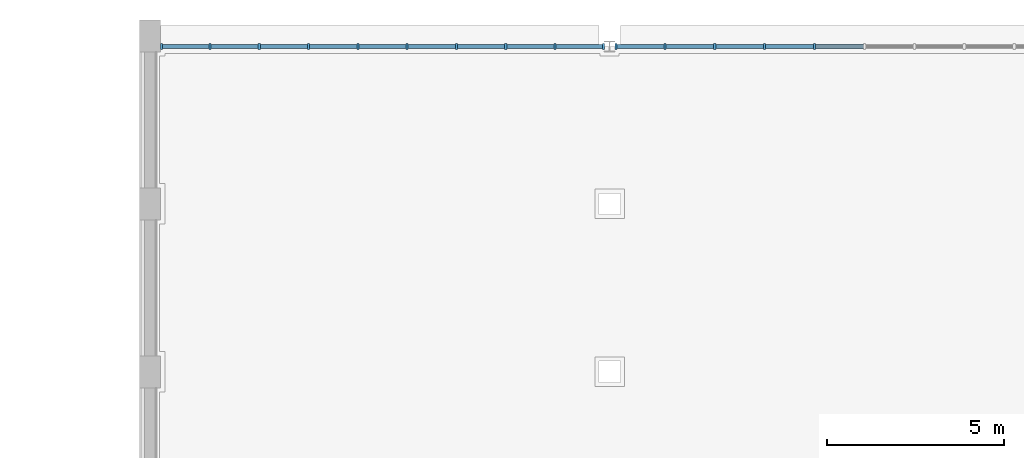
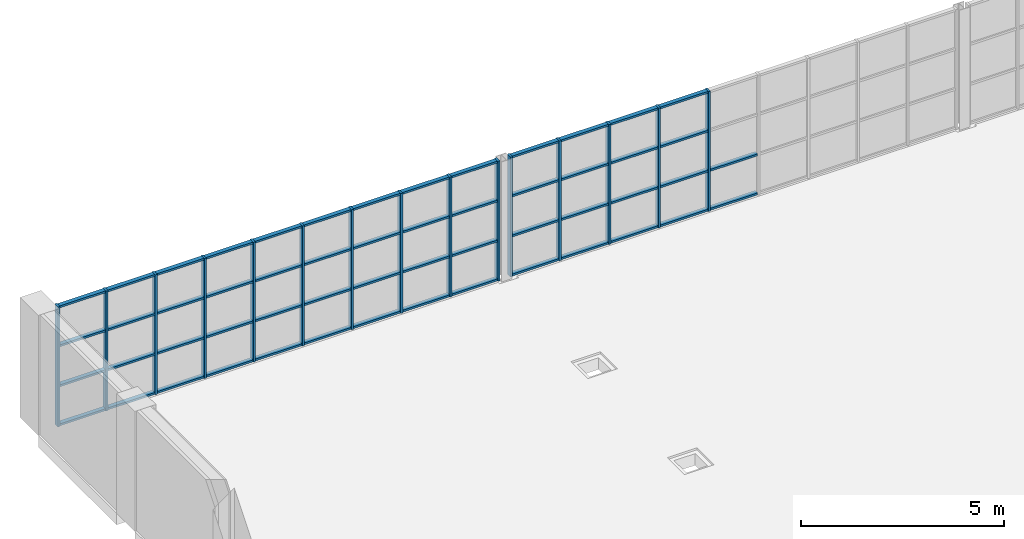
# One storey, part 25 of 82: 69 members, 2 elements without a shape of their own.
"""IFC4 building model written with IfcOpenShell, lengths in metres."""

from ifc_helpers import new_model, si_unit, direction, frame, origin, origin_2d, place, context, subcontext, project, spatial, rectangle, extrude, material, material_profile, profile_set, type_object, element, aggregate, save


model = new_model("IFC4")

# Units and contexts
model_context = context("Model", 3, precision=1e-05, world=origin(), true_north=direction((0.0, 1.0)))
body_context = subcontext(model_context, "Body", "Model", "MODEL_VIEW")
ifc_project = project(units=[si_unit("LENGTHUNIT", "METRE"), si_unit("AREAUNIT", "SQUARE_METRE"), si_unit("VOLUMEUNIT", "CUBIC_METRE"), si_unit("PLANEANGLEUNIT", "RADIAN"), si_unit("MASSUNIT", "GRAM", prefix="KILO")], contexts=[model_context])

# Site, building, storey
site_placement = place(None, origin())
site = spatial("IfcSite", under=ifc_project, at=site_placement, CompositionType="ELEMENT")
building_placement = place(site_placement, origin())
building = spatial("IfcBuilding", under=site, at=building_placement, Name="Elbe Cascade School", CompositionType="ELEMENT")
storey_placement = place(building_placement, frame((0.0, 0.0, 4.5)))
storey = spatial("IfcBuildingStorey", under=building, at=storey_placement, Name="L01", CompositionType="ELEMENT", Elevation=4.5)

# Curtain wall, members
ifc_material_1 = material(Name="Glass - double glazed low-E", Category="glass")
curtain_wall_type = type_object("IfcCurtainWallType", Name="Hall gable curtain wall", PredefinedType="NOTDEFINED", material=ifc_material_1)
curtain_wall_1_placement = place(storey_placement, origin())
curtain_wall_1 = element("IfcCurtainWall", 1, at=curtain_wall_1_placement, inside=storey, type_object=curtain_wall_type, Name="Gable curtain wall N1", PredefinedType="NOTDEFINED")
ifc_material_2 = material(Name="Aluminium - bronze anodised", Category="aluminium")
ifc_material_profile_1 = material_profile(ifc_material_2, rectangle(XDim=0.159912109375, YDim=0.06005859375, at=origin_2d()), Name="Alu 60x160")
ifc_profile_set_1 = profile_set([ifc_material_profile_1], Name="Aluminium - bronze anodised")
member_type_1 = type_object("IfcMemberType", Name="Hall gable mullion 60x160", PredefinedType="MULLION", material=ifc_profile_set_1)
member_1_placement = place(storey_placement, frame((8.330078125, 69.199951171875, 0.0), z_axis=(0.0, 0.0, 1.0), x_axis=(0.0, 1.0, 0.0)))
member_1 = element("IfcMember", 2, at=member_1_placement, type_object=member_type_1, Name="CW6 mullion 1", PredefinedType="MULLION", context=body_context, shape_type="SweptSolid", body=[
    extrude(rectangle(XDim=0.159912109375, YDim=0.06005859375, at=origin_2d()), origin(), (0.0, 0.0, 1.0), 3.60009765625),
])
member_2_placement = place(storey_placement, frame((9.6943359375, 69.199951171875, 0.0), z_axis=(0.0, 0.0, 1.0), x_axis=(0.0, 1.0, 0.0)))
member_2 = element("IfcMember", 3, at=member_2_placement, type_object=member_type_1, Name="CW6 mullion 2", PredefinedType="MULLION", context=body_context, shape_type="SweptSolid", body=[
    extrude(rectangle(XDim=0.159912109375, YDim=0.06005859375, at=origin_2d()), origin(), (0.0, 0.0, 1.0), 3.60009765625),
])
member_3_placement = place(storey_placement, frame((11.0888671875, 69.199951171875, 0.0), z_axis=(0.0, 0.0, 1.0), x_axis=(0.0, 1.0, 0.0)))
member_3 = element("IfcMember", 4, at=member_3_placement, type_object=member_type_1, Name="CW6 mullion 3", PredefinedType="MULLION", context=body_context, shape_type="SweptSolid", body=[
    extrude(rectangle(XDim=0.159912109375, YDim=0.06005859375, at=origin_2d()), origin(), (0.0, 0.0, 1.0), 3.60009765625),
])
member_4_placement = place(storey_placement, frame((12.4833984375, 69.199951171875, 0.0), z_axis=(0.0, 0.0, 1.0), x_axis=(0.0, 1.0, 0.0)))
member_4 = element("IfcMember", 5, at=member_4_placement, type_object=member_type_1, Name="CW6 mullion 4", PredefinedType="MULLION", context=body_context, shape_type="SweptSolid", body=[
    extrude(rectangle(XDim=0.159912109375, YDim=0.06005859375, at=origin_2d()), origin(), (0.0, 0.0, 1.0), 3.60009765625),
])
member_5_placement = place(storey_placement, frame((13.877685546875, 69.199951171875, 0.0), z_axis=(0.0, 0.0, 1.0), x_axis=(0.0, 1.0, 0.0)))
member_5 = element("IfcMember", 6, at=member_5_placement, type_object=member_type_1, Name="CW6 mullion 5", PredefinedType="MULLION", context=body_context, shape_type="SweptSolid", body=[
    extrude(rectangle(XDim=0.159912109375, YDim=0.06005859375, at=origin_2d()), origin(), (0.0, 0.0, 1.0), 3.60009765625),
])
member_6_placement = place(storey_placement, frame((15.272216796875, 69.199951171875, 0.0), z_axis=(0.0, 0.0, 1.0), x_axis=(0.0, 1.0, 0.0)))
member_6 = element("IfcMember", 7, at=member_6_placement, type_object=member_type_1, Name="CW6 mullion 6", PredefinedType="MULLION", context=body_context, shape_type="SweptSolid", body=[
    extrude(rectangle(XDim=0.159912109375, YDim=0.06005859375, at=origin_2d()), origin(), (0.0, 0.0, 1.0), 3.60009765625),
])
member_7_placement = place(storey_placement, frame((16.666748046875, 69.199951171875, 0.0), z_axis=(0.0, 0.0, 1.0), x_axis=(0.0, 1.0, 0.0)))
member_7 = element("IfcMember", 8, at=member_7_placement, type_object=member_type_1, Name="CW6 mullion 7", PredefinedType="MULLION", context=body_context, shape_type="SweptSolid", body=[
    extrude(rectangle(XDim=0.159912109375, YDim=0.06005859375, at=origin_2d()), origin(), (0.0, 0.0, 1.0), 3.60009765625),
])
member_8_placement = place(storey_placement, frame((18.06103515625, 69.199951171875, 0.0), z_axis=(0.0, 0.0, 1.0), x_axis=(0.0, 1.0, 0.0)))
member_8 = element("IfcMember", 9, at=member_8_placement, type_object=member_type_1, Name="CW6 mullion 8", PredefinedType="MULLION", context=body_context, shape_type="SweptSolid", body=[
    extrude(rectangle(XDim=0.159912109375, YDim=0.06005859375, at=origin_2d()), origin(), (0.0, 0.0, 1.0), 3.60009765625),
])
member_9_placement = place(storey_placement, frame((19.45556640625, 69.199951171875, 0.0), z_axis=(0.0, 0.0, 1.0), x_axis=(0.0, 1.0, 0.0)))
member_9 = element("IfcMember", 10, at=member_9_placement, type_object=member_type_1, Name="CW6 mullion 9", PredefinedType="MULLION", context=body_context, shape_type="SweptSolid", body=[
    extrude(rectangle(XDim=0.159912109375, YDim=0.06005859375, at=origin_2d()), origin(), (0.0, 0.0, 1.0), 3.60009765625),
])
member_10_placement = place(storey_placement, frame((20.820068359375, 69.199951171875, 0.0), z_axis=(0.0, 0.0, 1.0), x_axis=(0.0, 1.0, 0.0)))
member_10 = element("IfcMember", 11, at=member_10_placement, type_object=member_type_1, Name="CW6 mullion 10", PredefinedType="MULLION", context=body_context, shape_type="SweptSolid", body=[
    extrude(rectangle(XDim=0.159912109375, YDim=0.06005859375, at=origin_2d()), origin(), (0.0, 0.0, 1.0), 3.60009765625),
])

curtain_wall_2_placement = place(storey_placement, origin())
curtain_wall_2 = element("IfcCurtainWall", 12, at=curtain_wall_2_placement, inside=storey, type_object=curtain_wall_type, Name="Gable curtain wall N2", PredefinedType="NOTDEFINED")
member_11_placement = place(storey_placement, frame((21.179931640625, 69.199951171875, 0.0), z_axis=(0.0, 0.0, 1.0), x_axis=(0.0, 1.0, 0.0)))
member_11 = element("IfcMember", 13, at=member_11_placement, type_object=member_type_1, Name="CW6 mullion 1", PredefinedType="MULLION", context=body_context, shape_type="SweptSolid", body=[
    extrude(rectangle(XDim=0.159912109375, YDim=0.06005859375, at=origin_2d()), origin(), (0.0, 0.0, 1.0), 3.60009765625),
])
member_12_placement = place(storey_placement, frame((22.56103515625, 69.199951171875, 0.0), z_axis=(0.0, 0.0, 1.0), x_axis=(0.0, 1.0, 0.0)))
member_12 = element("IfcMember", 14, at=member_12_placement, type_object=member_type_1, Name="CW6 mullion 2", PredefinedType="MULLION", context=body_context, shape_type="SweptSolid", body=[
    extrude(rectangle(XDim=0.159912109375, YDim=0.06005859375, at=origin_2d()), origin(), (0.0, 0.0, 1.0), 3.60009765625),
])
member_13_placement = place(storey_placement, frame((23.97216796875, 69.199951171875, 0.0), z_axis=(0.0, 0.0, 1.0), x_axis=(0.0, 1.0, 0.0)))
member_13 = element("IfcMember", 15, at=member_13_placement, type_object=member_type_1, Name="CW6 mullion 3", PredefinedType="MULLION", context=body_context, shape_type="SweptSolid", body=[
    extrude(rectangle(XDim=0.159912109375, YDim=0.06005859375, at=origin_2d()), origin(), (0.0, 0.0, 1.0), 3.60009765625),
])
member_14_placement = place(storey_placement, frame((25.38330078125, 69.199951171875, 0.0), z_axis=(0.0, 0.0, 1.0), x_axis=(0.0, 1.0, 0.0)))
member_14 = element("IfcMember", 16, at=member_14_placement, type_object=member_type_1, Name="CW6 mullion 4", PredefinedType="MULLION", context=body_context, shape_type="SweptSolid", body=[
    extrude(rectangle(XDim=0.159912109375, YDim=0.06005859375, at=origin_2d()), origin(), (0.0, 0.0, 1.0), 3.60009765625),
])
member_15_placement = place(storey_placement, frame((26.79443359375, 69.199951171875, 0.0), z_axis=(0.0, 0.0, 1.0), x_axis=(0.0, 1.0, 0.0)))
member_15 = element("IfcMember", 17, at=member_15_placement, type_object=member_type_1, Name="CW6 mullion 5", PredefinedType="MULLION", context=body_context, shape_type="SweptSolid", body=[
    extrude(rectangle(XDim=0.159912109375, YDim=0.06005859375, at=origin_2d()), origin(), (0.0, 0.0, 1.0), 3.60009765625),
])

# Member
ifc_material_3 = material(Name="Aluminium - bronze anodised", Category="aluminium")
ifc_material_profile_2 = material_profile(ifc_material_3, rectangle(XDim=0.1201171875, YDim=0.06005859375, at=origin_2d()), Name="Alu 60x120")
ifc_profile_set_2 = profile_set([ifc_material_profile_2], Name="Aluminium - bronze anodised")
member_type_2 = type_object("IfcMemberType", Name="Hall gable transom 60x120", PredefinedType="USERDEFINED", material=ifc_profile_set_2)
member_16_placement = place(storey_placement, frame((8.360107421875, 69.199951171875, 0.030029296875), z_axis=(1.0, 0.0, 0.0), x_axis=(0.0, 1.0, 0.0)))
member_16 = element("IfcMember", 18, at=member_16_placement, type_object=member_type_2, Name="CW6 transom 1.1", ObjectType="TRANSOM", PredefinedType="USERDEFINED", context=body_context, shape_type="SweptSolid", body=[
    extrude(rectangle(XDim=0.1201171875, YDim=0.06005859375, at=origin_2d()), origin(), (0.0, 0.0, 1.0), 1.304443359375),
])

member_17_placement = place(storey_placement, frame((8.360107421875, 69.199951171875, 1.199951171875), z_axis=(1.0, 0.0, 0.0), x_axis=(0.0, 1.0, 0.0)))
member_17 = element("IfcMember", 19, at=member_17_placement, type_object=member_type_2, Name="CW6 transom 1.2", ObjectType="TRANSOM", PredefinedType="USERDEFINED", context=body_context, shape_type="SweptSolid", body=[
    extrude(rectangle(XDim=0.1201171875, YDim=0.06005859375, at=origin_2d()), origin(), (0.0, 0.0, 1.0), 1.304443359375),
])

member_18_placement = place(storey_placement, frame((8.360107421875, 69.199951171875, 2.39990234375), z_axis=(1.0, 0.0, 0.0), x_axis=(0.0, 1.0, 0.0)))
member_18 = element("IfcMember", 20, at=member_18_placement, type_object=member_type_2, Name="CW6 transom 1.3", ObjectType="TRANSOM", PredefinedType="USERDEFINED", context=body_context, shape_type="SweptSolid", body=[
    extrude(rectangle(XDim=0.1201171875, YDim=0.06005859375, at=origin_2d()), origin(), (0.0, 0.0, 1.0), 1.304443359375),
])

member_19_placement = place(storey_placement, frame((8.360107421875, 69.199951171875, 3.570068359375), z_axis=(1.0, 0.0, 0.0), x_axis=(0.0, 1.0, 0.0)))
member_19 = element("IfcMember", 21, at=member_19_placement, type_object=member_type_2, Name="CW6 transom 1.4", ObjectType="TRANSOM", PredefinedType="USERDEFINED", context=body_context, shape_type="SweptSolid", body=[
    extrude(rectangle(XDim=0.1201171875, YDim=0.06005859375, at=origin_2d()), origin(), (0.0, 0.0, 1.0), 1.304443359375),
])

member_20_placement = place(storey_placement, frame((9.724365234375, 69.199951171875, 0.030029296875), z_axis=(1.0, 0.0, 0.0), x_axis=(0.0, 1.0, 0.0)))
member_20 = element("IfcMember", 22, at=member_20_placement, type_object=member_type_2, Name="CW6 transom 2.1", ObjectType="TRANSOM", PredefinedType="USERDEFINED", context=body_context, shape_type="SweptSolid", body=[
    extrude(rectangle(XDim=0.1201171875, YDim=0.06005859375, at=origin_2d()), origin(), (0.0, 0.0, 1.0), 1.33447265625),
])

member_21_placement = place(storey_placement, frame((9.724365234375, 69.199951171875, 1.199951171875), z_axis=(1.0, 0.0, 0.0), x_axis=(0.0, 1.0, 0.0)))
member_21 = element("IfcMember", 23, at=member_21_placement, type_object=member_type_2, Name="CW6 transom 2.2", ObjectType="TRANSOM", PredefinedType="USERDEFINED", context=body_context, shape_type="SweptSolid", body=[
    extrude(rectangle(XDim=0.1201171875, YDim=0.06005859375, at=origin_2d()), origin(), (0.0, 0.0, 1.0), 1.33447265625),
])

member_22_placement = place(storey_placement, frame((9.724365234375, 69.199951171875, 2.39990234375), z_axis=(1.0, 0.0, 0.0), x_axis=(0.0, 1.0, 0.0)))
member_22 = element("IfcMember", 24, at=member_22_placement, type_object=member_type_2, Name="CW6 transom 2.3", ObjectType="TRANSOM", PredefinedType="USERDEFINED", context=body_context, shape_type="SweptSolid", body=[
    extrude(rectangle(XDim=0.1201171875, YDim=0.06005859375, at=origin_2d()), origin(), (0.0, 0.0, 1.0), 1.33447265625),
])

member_23_placement = place(storey_placement, frame((9.724365234375, 69.199951171875, 3.570068359375), z_axis=(1.0, 0.0, 0.0), x_axis=(0.0, 1.0, 0.0)))
member_23 = element("IfcMember", 25, at=member_23_placement, type_object=member_type_2, Name="CW6 transom 2.4", ObjectType="TRANSOM", PredefinedType="USERDEFINED", context=body_context, shape_type="SweptSolid", body=[
    extrude(rectangle(XDim=0.1201171875, YDim=0.06005859375, at=origin_2d()), origin(), (0.0, 0.0, 1.0), 1.33447265625),
])

member_24_placement = place(storey_placement, frame((11.118896484375, 69.199951171875, 0.030029296875), z_axis=(1.0, 0.0, 0.0), x_axis=(0.0, 1.0, 0.0)))
member_24 = element("IfcMember", 26, at=member_24_placement, type_object=member_type_2, Name="CW6 transom 3.1", ObjectType="TRANSOM", PredefinedType="USERDEFINED", context=body_context, shape_type="SweptSolid", body=[
    extrude(rectangle(XDim=0.1201171875, YDim=0.06005859375, at=origin_2d()), origin(), (0.0, 0.0, 1.0), 1.33447265625),
])

member_25_placement = place(storey_placement, frame((11.118896484375, 69.199951171875, 1.199951171875), z_axis=(1.0, 0.0, 0.0), x_axis=(0.0, 1.0, 0.0)))
member_25 = element("IfcMember", 27, at=member_25_placement, type_object=member_type_2, Name="CW6 transom 3.2", ObjectType="TRANSOM", PredefinedType="USERDEFINED", context=body_context, shape_type="SweptSolid", body=[
    extrude(rectangle(XDim=0.1201171875, YDim=0.06005859375, at=origin_2d()), origin(), (0.0, 0.0, 1.0), 1.33447265625),
])

member_26_placement = place(storey_placement, frame((11.118896484375, 69.199951171875, 2.39990234375), z_axis=(1.0, 0.0, 0.0), x_axis=(0.0, 1.0, 0.0)))
member_26 = element("IfcMember", 28, at=member_26_placement, type_object=member_type_2, Name="CW6 transom 3.3", ObjectType="TRANSOM", PredefinedType="USERDEFINED", context=body_context, shape_type="SweptSolid", body=[
    extrude(rectangle(XDim=0.1201171875, YDim=0.06005859375, at=origin_2d()), origin(), (0.0, 0.0, 1.0), 1.33447265625),
])

member_27_placement = place(storey_placement, frame((11.118896484375, 69.199951171875, 3.570068359375), z_axis=(1.0, 0.0, 0.0), x_axis=(0.0, 1.0, 0.0)))
member_27 = element("IfcMember", 29, at=member_27_placement, type_object=member_type_2, Name="CW6 transom 3.4", ObjectType="TRANSOM", PredefinedType="USERDEFINED", context=body_context, shape_type="SweptSolid", body=[
    extrude(rectangle(XDim=0.1201171875, YDim=0.06005859375, at=origin_2d()), origin(), (0.0, 0.0, 1.0), 1.33447265625),
])

member_28_placement = place(storey_placement, frame((12.513427734375, 69.199951171875, 0.030029296875), z_axis=(1.0, 0.0, 0.0), x_axis=(0.0, 1.0, 0.0)))
member_28 = element("IfcMember", 30, at=member_28_placement, type_object=member_type_2, Name="CW6 transom 4.1", ObjectType="TRANSOM", PredefinedType="USERDEFINED", context=body_context, shape_type="SweptSolid", body=[
    extrude(rectangle(XDim=0.1201171875, YDim=0.06005859375, at=origin_2d()), origin(), (0.0, 0.0, 1.0), 1.334228515625),
])

member_29_placement = place(storey_placement, frame((12.513427734375, 69.199951171875, 1.199951171875), z_axis=(1.0, 0.0, 0.0), x_axis=(0.0, 1.0, 0.0)))
member_29 = element("IfcMember", 31, at=member_29_placement, type_object=member_type_2, Name="CW6 transom 4.2", ObjectType="TRANSOM", PredefinedType="USERDEFINED", context=body_context, shape_type="SweptSolid", body=[
    extrude(rectangle(XDim=0.1201171875, YDim=0.06005859375, at=origin_2d()), origin(), (0.0, 0.0, 1.0), 1.334228515625),
])

member_30_placement = place(storey_placement, frame((12.513427734375, 69.199951171875, 2.39990234375), z_axis=(1.0, 0.0, 0.0), x_axis=(0.0, 1.0, 0.0)))
member_30 = element("IfcMember", 32, at=member_30_placement, type_object=member_type_2, Name="CW6 transom 4.3", ObjectType="TRANSOM", PredefinedType="USERDEFINED", context=body_context, shape_type="SweptSolid", body=[
    extrude(rectangle(XDim=0.1201171875, YDim=0.06005859375, at=origin_2d()), origin(), (0.0, 0.0, 1.0), 1.334228515625),
])

member_31_placement = place(storey_placement, frame((12.513427734375, 69.199951171875, 3.570068359375), z_axis=(1.0, 0.0, 0.0), x_axis=(0.0, 1.0, 0.0)))
member_31 = element("IfcMember", 33, at=member_31_placement, type_object=member_type_2, Name="CW6 transom 4.4", ObjectType="TRANSOM", PredefinedType="USERDEFINED", context=body_context, shape_type="SweptSolid", body=[
    extrude(rectangle(XDim=0.1201171875, YDim=0.06005859375, at=origin_2d()), origin(), (0.0, 0.0, 1.0), 1.334228515625),
])

member_32_placement = place(storey_placement, frame((13.90771484375, 69.199951171875, 0.030029296875), z_axis=(1.0, 0.0, 0.0), x_axis=(0.0, 1.0, 0.0)))
member_32 = element("IfcMember", 34, at=member_32_placement, type_object=member_type_2, Name="CW6 transom 5.1", ObjectType="TRANSOM", PredefinedType="USERDEFINED", context=body_context, shape_type="SweptSolid", body=[
    extrude(rectangle(XDim=0.1201171875, YDim=0.06005859375, at=origin_2d()), origin(), (0.0, 0.0, 1.0), 1.33447265625),
])

member_33_placement = place(storey_placement, frame((13.90771484375, 69.199951171875, 1.199951171875), z_axis=(1.0, 0.0, 0.0), x_axis=(0.0, 1.0, 0.0)))
member_33 = element("IfcMember", 35, at=member_33_placement, type_object=member_type_2, Name="CW6 transom 5.2", ObjectType="TRANSOM", PredefinedType="USERDEFINED", context=body_context, shape_type="SweptSolid", body=[
    extrude(rectangle(XDim=0.1201171875, YDim=0.06005859375, at=origin_2d()), origin(), (0.0, 0.0, 1.0), 1.33447265625),
])

member_34_placement = place(storey_placement, frame((13.90771484375, 69.199951171875, 2.39990234375), z_axis=(1.0, 0.0, 0.0), x_axis=(0.0, 1.0, 0.0)))
member_34 = element("IfcMember", 36, at=member_34_placement, type_object=member_type_2, Name="CW6 transom 5.3", ObjectType="TRANSOM", PredefinedType="USERDEFINED", context=body_context, shape_type="SweptSolid", body=[
    extrude(rectangle(XDim=0.1201171875, YDim=0.06005859375, at=origin_2d()), origin(), (0.0, 0.0, 1.0), 1.33447265625),
])

member_35_placement = place(storey_placement, frame((13.90771484375, 69.199951171875, 3.570068359375), z_axis=(1.0, 0.0, 0.0), x_axis=(0.0, 1.0, 0.0)))
member_35 = element("IfcMember", 37, at=member_35_placement, type_object=member_type_2, Name="CW6 transom 5.4", ObjectType="TRANSOM", PredefinedType="USERDEFINED", context=body_context, shape_type="SweptSolid", body=[
    extrude(rectangle(XDim=0.1201171875, YDim=0.06005859375, at=origin_2d()), origin(), (0.0, 0.0, 1.0), 1.33447265625),
])

member_36_placement = place(storey_placement, frame((15.30224609375, 69.199951171875, 0.030029296875), z_axis=(1.0, 0.0, 0.0), x_axis=(0.0, 1.0, 0.0)))
member_36 = element("IfcMember", 38, at=member_36_placement, type_object=member_type_2, Name="CW6 transom 6.1", ObjectType="TRANSOM", PredefinedType="USERDEFINED", context=body_context, shape_type="SweptSolid", body=[
    extrude(rectangle(XDim=0.1201171875, YDim=0.06005859375, at=origin_2d()), origin(), (0.0, 0.0, 1.0), 1.33447265625),
])

member_37_placement = place(storey_placement, frame((15.30224609375, 69.199951171875, 1.199951171875), z_axis=(1.0, 0.0, 0.0), x_axis=(0.0, 1.0, 0.0)))
member_37 = element("IfcMember", 39, at=member_37_placement, type_object=member_type_2, Name="CW6 transom 6.2", ObjectType="TRANSOM", PredefinedType="USERDEFINED", context=body_context, shape_type="SweptSolid", body=[
    extrude(rectangle(XDim=0.1201171875, YDim=0.06005859375, at=origin_2d()), origin(), (0.0, 0.0, 1.0), 1.33447265625),
])

member_38_placement = place(storey_placement, frame((15.30224609375, 69.199951171875, 2.39990234375), z_axis=(1.0, 0.0, 0.0), x_axis=(0.0, 1.0, 0.0)))
member_38 = element("IfcMember", 40, at=member_38_placement, type_object=member_type_2, Name="CW6 transom 6.3", ObjectType="TRANSOM", PredefinedType="USERDEFINED", context=body_context, shape_type="SweptSolid", body=[
    extrude(rectangle(XDim=0.1201171875, YDim=0.06005859375, at=origin_2d()), origin(), (0.0, 0.0, 1.0), 1.33447265625),
])

member_39_placement = place(storey_placement, frame((15.30224609375, 69.199951171875, 3.570068359375), z_axis=(1.0, 0.0, 0.0), x_axis=(0.0, 1.0, 0.0)))
member_39 = element("IfcMember", 41, at=member_39_placement, type_object=member_type_2, Name="CW6 transom 6.4", ObjectType="TRANSOM", PredefinedType="USERDEFINED", context=body_context, shape_type="SweptSolid", body=[
    extrude(rectangle(XDim=0.1201171875, YDim=0.06005859375, at=origin_2d()), origin(), (0.0, 0.0, 1.0), 1.33447265625),
])

member_40_placement = place(storey_placement, frame((16.69677734375, 69.199951171875, 0.030029296875), z_axis=(1.0, 0.0, 0.0), x_axis=(0.0, 1.0, 0.0)))
member_40 = element("IfcMember", 42, at=member_40_placement, type_object=member_type_2, Name="CW6 transom 7.1", ObjectType="TRANSOM", PredefinedType="USERDEFINED", context=body_context, shape_type="SweptSolid", body=[
    extrude(rectangle(XDim=0.1201171875, YDim=0.06005859375, at=origin_2d()), origin(), (0.0, 0.0, 1.0), 1.334228515625),
])

member_41_placement = place(storey_placement, frame((16.69677734375, 69.199951171875, 1.199951171875), z_axis=(1.0, 0.0, 0.0), x_axis=(0.0, 1.0, 0.0)))
member_41 = element("IfcMember", 43, at=member_41_placement, type_object=member_type_2, Name="CW6 transom 7.2", ObjectType="TRANSOM", PredefinedType="USERDEFINED", context=body_context, shape_type="SweptSolid", body=[
    extrude(rectangle(XDim=0.1201171875, YDim=0.06005859375, at=origin_2d()), origin(), (0.0, 0.0, 1.0), 1.334228515625),
])

member_42_placement = place(storey_placement, frame((16.69677734375, 69.199951171875, 2.39990234375), z_axis=(1.0, 0.0, 0.0), x_axis=(0.0, 1.0, 0.0)))
member_42 = element("IfcMember", 44, at=member_42_placement, type_object=member_type_2, Name="CW6 transom 7.3", ObjectType="TRANSOM", PredefinedType="USERDEFINED", context=body_context, shape_type="SweptSolid", body=[
    extrude(rectangle(XDim=0.1201171875, YDim=0.06005859375, at=origin_2d()), origin(), (0.0, 0.0, 1.0), 1.334228515625),
])

member_43_placement = place(storey_placement, frame((16.69677734375, 69.199951171875, 3.570068359375), z_axis=(1.0, 0.0, 0.0), x_axis=(0.0, 1.0, 0.0)))
member_43 = element("IfcMember", 45, at=member_43_placement, type_object=member_type_2, Name="CW6 transom 7.4", ObjectType="TRANSOM", PredefinedType="USERDEFINED", context=body_context, shape_type="SweptSolid", body=[
    extrude(rectangle(XDim=0.1201171875, YDim=0.06005859375, at=origin_2d()), origin(), (0.0, 0.0, 1.0), 1.334228515625),
])

member_44_placement = place(storey_placement, frame((18.091064453125, 69.199951171875, 0.030029296875), z_axis=(1.0, 0.0, 0.0), x_axis=(0.0, 1.0, 0.0)))
member_44 = element("IfcMember", 46, at=member_44_placement, type_object=member_type_2, Name="CW6 transom 8.1", ObjectType="TRANSOM", PredefinedType="USERDEFINED", context=body_context, shape_type="SweptSolid", body=[
    extrude(rectangle(XDim=0.1201171875, YDim=0.06005859375, at=origin_2d()), origin(), (0.0, 0.0, 1.0), 1.33447265625),
])

member_45_placement = place(storey_placement, frame((18.091064453125, 69.199951171875, 1.199951171875), z_axis=(1.0, 0.0, 0.0), x_axis=(0.0, 1.0, 0.0)))
member_45 = element("IfcMember", 47, at=member_45_placement, type_object=member_type_2, Name="CW6 transom 8.2", ObjectType="TRANSOM", PredefinedType="USERDEFINED", context=body_context, shape_type="SweptSolid", body=[
    extrude(rectangle(XDim=0.1201171875, YDim=0.06005859375, at=origin_2d()), origin(), (0.0, 0.0, 1.0), 1.33447265625),
])

member_46_placement = place(storey_placement, frame((18.091064453125, 69.199951171875, 2.39990234375), z_axis=(1.0, 0.0, 0.0), x_axis=(0.0, 1.0, 0.0)))
member_46 = element("IfcMember", 48, at=member_46_placement, type_object=member_type_2, Name="CW6 transom 8.3", ObjectType="TRANSOM", PredefinedType="USERDEFINED", context=body_context, shape_type="SweptSolid", body=[
    extrude(rectangle(XDim=0.1201171875, YDim=0.06005859375, at=origin_2d()), origin(), (0.0, 0.0, 1.0), 1.33447265625),
])

member_47_placement = place(storey_placement, frame((18.091064453125, 69.199951171875, 3.570068359375), z_axis=(1.0, 0.0, 0.0), x_axis=(0.0, 1.0, 0.0)))
member_47 = element("IfcMember", 49, at=member_47_placement, type_object=member_type_2, Name="CW6 transom 8.4", ObjectType="TRANSOM", PredefinedType="USERDEFINED", context=body_context, shape_type="SweptSolid", body=[
    extrude(rectangle(XDim=0.1201171875, YDim=0.06005859375, at=origin_2d()), origin(), (0.0, 0.0, 1.0), 1.33447265625),
])

member_48_placement = place(storey_placement, frame((19.485595703125, 69.199951171875, 0.030029296875), z_axis=(1.0, 0.0, 0.0), x_axis=(0.0, 1.0, 0.0)))
member_48 = element("IfcMember", 50, at=member_48_placement, type_object=member_type_2, Name="CW6 transom 9.1", ObjectType="TRANSOM", PredefinedType="USERDEFINED", context=body_context, shape_type="SweptSolid", body=[
    extrude(rectangle(XDim=0.1201171875, YDim=0.06005859375, at=origin_2d()), origin(), (0.0, 0.0, 1.0), 1.304443359375),
])

member_49_placement = place(storey_placement, frame((19.485595703125, 69.199951171875, 1.199951171875), z_axis=(1.0, 0.0, 0.0), x_axis=(0.0, 1.0, 0.0)))
member_49 = element("IfcMember", 51, at=member_49_placement, type_object=member_type_2, Name="CW6 transom 9.2", ObjectType="TRANSOM", PredefinedType="USERDEFINED", context=body_context, shape_type="SweptSolid", body=[
    extrude(rectangle(XDim=0.1201171875, YDim=0.06005859375, at=origin_2d()), origin(), (0.0, 0.0, 1.0), 1.304443359375),
])

member_50_placement = place(storey_placement, frame((19.485595703125, 69.199951171875, 2.39990234375), z_axis=(1.0, 0.0, 0.0), x_axis=(0.0, 1.0, 0.0)))
member_50 = element("IfcMember", 52, at=member_50_placement, type_object=member_type_2, Name="CW6 transom 9.3", ObjectType="TRANSOM", PredefinedType="USERDEFINED", context=body_context, shape_type="SweptSolid", body=[
    extrude(rectangle(XDim=0.1201171875, YDim=0.06005859375, at=origin_2d()), origin(), (0.0, 0.0, 1.0), 1.304443359375),
])

member_51_placement = place(storey_placement, frame((19.485595703125, 69.199951171875, 3.570068359375), z_axis=(1.0, 0.0, 0.0), x_axis=(0.0, 1.0, 0.0)))
member_51 = element("IfcMember", 53, at=member_51_placement, type_object=member_type_2, Name="CW6 transom 9.4", ObjectType="TRANSOM", PredefinedType="USERDEFINED", context=body_context, shape_type="SweptSolid", body=[
    extrude(rectangle(XDim=0.1201171875, YDim=0.06005859375, at=origin_2d()), origin(), (0.0, 0.0, 1.0), 1.304443359375),
])

aggregate(curtain_wall_1, [member_1, member_2, member_3, member_4, member_5, member_6, member_7, member_8, member_9, member_10, member_16, member_17, member_18, member_19, member_20, member_21, member_22, member_23, member_24, member_25, member_26, member_27, member_28, member_29, member_30, member_31, member_32, member_33, member_34, member_35, member_36, member_37, member_38, member_39, member_40, member_41, member_42, member_43, member_44, member_45, member_46, member_47, member_48, member_49, member_50, member_51])

member_52_placement = place(storey_placement, frame((21.2099609375, 69.199951171875, 0.030029296875), z_axis=(1.0, 0.0, 0.0), x_axis=(0.0, 1.0, 0.0)))
member_52 = element("IfcMember", 54, at=member_52_placement, type_object=member_type_2, Name="CW6 transom 1.1", ObjectType="TRANSOM", PredefinedType="USERDEFINED", context=body_context, shape_type="SweptSolid", body=[
    extrude(rectangle(XDim=0.1201171875, YDim=0.06005859375, at=origin_2d()), origin(), (0.0, 0.0, 1.0), 1.321044921875),
])

member_53_placement = place(storey_placement, frame((21.2099609375, 69.199951171875, 1.199951171875), z_axis=(1.0, 0.0, 0.0), x_axis=(0.0, 1.0, 0.0)))
member_53 = element("IfcMember", 55, at=member_53_placement, type_object=member_type_2, Name="CW6 transom 1.2", ObjectType="TRANSOM", PredefinedType="USERDEFINED", context=body_context, shape_type="SweptSolid", body=[
    extrude(rectangle(XDim=0.1201171875, YDim=0.06005859375, at=origin_2d()), origin(), (0.0, 0.0, 1.0), 1.321044921875),
])

member_54_placement = place(storey_placement, frame((21.2099609375, 69.199951171875, 2.39990234375), z_axis=(1.0, 0.0, 0.0), x_axis=(0.0, 1.0, 0.0)))
member_54 = element("IfcMember", 56, at=member_54_placement, type_object=member_type_2, Name="CW6 transom 1.3", ObjectType="TRANSOM", PredefinedType="USERDEFINED", context=body_context, shape_type="SweptSolid", body=[
    extrude(rectangle(XDim=0.1201171875, YDim=0.06005859375, at=origin_2d()), origin(), (0.0, 0.0, 1.0), 1.321044921875),
])

member_55_placement = place(storey_placement, frame((21.2099609375, 69.199951171875, 3.570068359375), z_axis=(1.0, 0.0, 0.0), x_axis=(0.0, 1.0, 0.0)))
member_55 = element("IfcMember", 57, at=member_55_placement, type_object=member_type_2, Name="CW6 transom 1.4", ObjectType="TRANSOM", PredefinedType="USERDEFINED", context=body_context, shape_type="SweptSolid", body=[
    extrude(rectangle(XDim=0.1201171875, YDim=0.06005859375, at=origin_2d()), origin(), (0.0, 0.0, 1.0), 1.321044921875),
])

member_56_placement = place(storey_placement, frame((22.591064453125, 69.199951171875, 0.030029296875), z_axis=(1.0, 0.0, 0.0), x_axis=(0.0, 1.0, 0.0)))
member_56 = element("IfcMember", 58, at=member_56_placement, type_object=member_type_2, Name="CW6 transom 2.1", ObjectType="TRANSOM", PredefinedType="USERDEFINED", context=body_context, shape_type="SweptSolid", body=[
    extrude(rectangle(XDim=0.1201171875, YDim=0.06005859375, at=origin_2d()), origin(), (0.0, 0.0, 1.0), 1.35107421875),
])

member_57_placement = place(storey_placement, frame((22.591064453125, 69.199951171875, 1.199951171875), z_axis=(1.0, 0.0, 0.0), x_axis=(0.0, 1.0, 0.0)))
member_57 = element("IfcMember", 59, at=member_57_placement, type_object=member_type_2, Name="CW6 transom 2.2", ObjectType="TRANSOM", PredefinedType="USERDEFINED", context=body_context, shape_type="SweptSolid", body=[
    extrude(rectangle(XDim=0.1201171875, YDim=0.06005859375, at=origin_2d()), origin(), (0.0, 0.0, 1.0), 1.35107421875),
])

member_58_placement = place(storey_placement, frame((22.591064453125, 69.199951171875, 2.39990234375), z_axis=(1.0, 0.0, 0.0), x_axis=(0.0, 1.0, 0.0)))
member_58 = element("IfcMember", 60, at=member_58_placement, type_object=member_type_2, Name="CW6 transom 2.3", ObjectType="TRANSOM", PredefinedType="USERDEFINED", context=body_context, shape_type="SweptSolid", body=[
    extrude(rectangle(XDim=0.1201171875, YDim=0.06005859375, at=origin_2d()), origin(), (0.0, 0.0, 1.0), 1.35107421875),
])

member_59_placement = place(storey_placement, frame((22.591064453125, 69.199951171875, 3.570068359375), z_axis=(1.0, 0.0, 0.0), x_axis=(0.0, 1.0, 0.0)))
member_59 = element("IfcMember", 61, at=member_59_placement, type_object=member_type_2, Name="CW6 transom 2.4", ObjectType="TRANSOM", PredefinedType="USERDEFINED", context=body_context, shape_type="SweptSolid", body=[
    extrude(rectangle(XDim=0.1201171875, YDim=0.06005859375, at=origin_2d()), origin(), (0.0, 0.0, 1.0), 1.35107421875),
])

member_60_placement = place(storey_placement, frame((24.002197265625, 69.199951171875, 0.030029296875), z_axis=(1.0, 0.0, 0.0), x_axis=(0.0, 1.0, 0.0)))
member_60 = element("IfcMember", 62, at=member_60_placement, type_object=member_type_2, Name="CW6 transom 3.1", ObjectType="TRANSOM", PredefinedType="USERDEFINED", context=body_context, shape_type="SweptSolid", body=[
    extrude(rectangle(XDim=0.1201171875, YDim=0.06005859375, at=origin_2d()), origin(), (0.0, 0.0, 1.0), 1.35107421875),
])

member_61_placement = place(storey_placement, frame((24.002197265625, 69.199951171875, 1.199951171875), z_axis=(1.0, 0.0, 0.0), x_axis=(0.0, 1.0, 0.0)))
member_61 = element("IfcMember", 63, at=member_61_placement, type_object=member_type_2, Name="CW6 transom 3.2", ObjectType="TRANSOM", PredefinedType="USERDEFINED", context=body_context, shape_type="SweptSolid", body=[
    extrude(rectangle(XDim=0.1201171875, YDim=0.06005859375, at=origin_2d()), origin(), (0.0, 0.0, 1.0), 1.35107421875),
])

member_62_placement = place(storey_placement, frame((24.002197265625, 69.199951171875, 2.39990234375), z_axis=(1.0, 0.0, 0.0), x_axis=(0.0, 1.0, 0.0)))
member_62 = element("IfcMember", 64, at=member_62_placement, type_object=member_type_2, Name="CW6 transom 3.3", ObjectType="TRANSOM", PredefinedType="USERDEFINED", context=body_context, shape_type="SweptSolid", body=[
    extrude(rectangle(XDim=0.1201171875, YDim=0.06005859375, at=origin_2d()), origin(), (0.0, 0.0, 1.0), 1.35107421875),
])

member_63_placement = place(storey_placement, frame((24.002197265625, 69.199951171875, 3.570068359375), z_axis=(1.0, 0.0, 0.0), x_axis=(0.0, 1.0, 0.0)))
member_63 = element("IfcMember", 65, at=member_63_placement, type_object=member_type_2, Name="CW6 transom 3.4", ObjectType="TRANSOM", PredefinedType="USERDEFINED", context=body_context, shape_type="SweptSolid", body=[
    extrude(rectangle(XDim=0.1201171875, YDim=0.06005859375, at=origin_2d()), origin(), (0.0, 0.0, 1.0), 1.35107421875),
])

member_64_placement = place(storey_placement, frame((25.413330078125, 69.199951171875, 0.030029296875), z_axis=(1.0, 0.0, 0.0), x_axis=(0.0, 1.0, 0.0)))
member_64 = element("IfcMember", 66, at=member_64_placement, type_object=member_type_2, Name="CW6 transom 4.1", ObjectType="TRANSOM", PredefinedType="USERDEFINED", context=body_context, shape_type="SweptSolid", body=[
    extrude(rectangle(XDim=0.1201171875, YDim=0.06005859375, at=origin_2d()), origin(), (0.0, 0.0, 1.0), 1.35107421875),
])

member_65_placement = place(storey_placement, frame((25.413330078125, 69.199951171875, 1.199951171875), z_axis=(1.0, 0.0, 0.0), x_axis=(0.0, 1.0, 0.0)))
member_65 = element("IfcMember", 67, at=member_65_placement, type_object=member_type_2, Name="CW6 transom 4.2", ObjectType="TRANSOM", PredefinedType="USERDEFINED", context=body_context, shape_type="SweptSolid", body=[
    extrude(rectangle(XDim=0.1201171875, YDim=0.06005859375, at=origin_2d()), origin(), (0.0, 0.0, 1.0), 1.35107421875),
])

member_66_placement = place(storey_placement, frame((25.413330078125, 69.199951171875, 2.39990234375), z_axis=(1.0, 0.0, 0.0), x_axis=(0.0, 1.0, 0.0)))
member_66 = element("IfcMember", 68, at=member_66_placement, type_object=member_type_2, Name="CW6 transom 4.3", ObjectType="TRANSOM", PredefinedType="USERDEFINED", context=body_context, shape_type="SweptSolid", body=[
    extrude(rectangle(XDim=0.1201171875, YDim=0.06005859375, at=origin_2d()), origin(), (0.0, 0.0, 1.0), 1.35107421875),
])

member_67_placement = place(storey_placement, frame((25.413330078125, 69.199951171875, 3.570068359375), z_axis=(1.0, 0.0, 0.0), x_axis=(0.0, 1.0, 0.0)))
member_67 = element("IfcMember", 69, at=member_67_placement, type_object=member_type_2, Name="CW6 transom 4.4", ObjectType="TRANSOM", PredefinedType="USERDEFINED", context=body_context, shape_type="SweptSolid", body=[
    extrude(rectangle(XDim=0.1201171875, YDim=0.06005859375, at=origin_2d()), origin(), (0.0, 0.0, 1.0), 1.35107421875),
])

member_68_placement = place(storey_placement, frame((26.824462890625, 69.199951171875, 0.030029296875), z_axis=(1.0, 0.0, 0.0), x_axis=(0.0, 1.0, 0.0)))
member_68 = element("IfcMember", 70, at=member_68_placement, type_object=member_type_2, Name="CW6 transom 5.1", ObjectType="TRANSOM", PredefinedType="USERDEFINED", context=body_context, shape_type="SweptSolid", body=[
    extrude(rectangle(XDim=0.1201171875, YDim=0.06005859375, at=origin_2d()), origin(), (0.0, 0.0, 1.0), 1.35107421875),
])

member_69_placement = place(storey_placement, frame((26.824462890625, 69.199951171875, 1.199951171875), z_axis=(1.0, 0.0, 0.0), x_axis=(0.0, 1.0, 0.0)))
member_69 = element("IfcMember", 71, at=member_69_placement, type_object=member_type_2, Name="CW6 transom 5.2", ObjectType="TRANSOM", PredefinedType="USERDEFINED", context=body_context, shape_type="SweptSolid", body=[
    extrude(rectangle(XDim=0.1201171875, YDim=0.06005859375, at=origin_2d()), origin(), (0.0, 0.0, 1.0), 1.35107421875),
])

aggregate(curtain_wall_2, [member_11, member_12, member_13, member_14, member_15, member_52, member_53, member_54, member_55, member_56, member_57, member_58, member_59, member_60, member_61, member_62, member_63, member_64, member_65, member_66, member_67, member_68, member_69])

save(model, "model.ifc")
